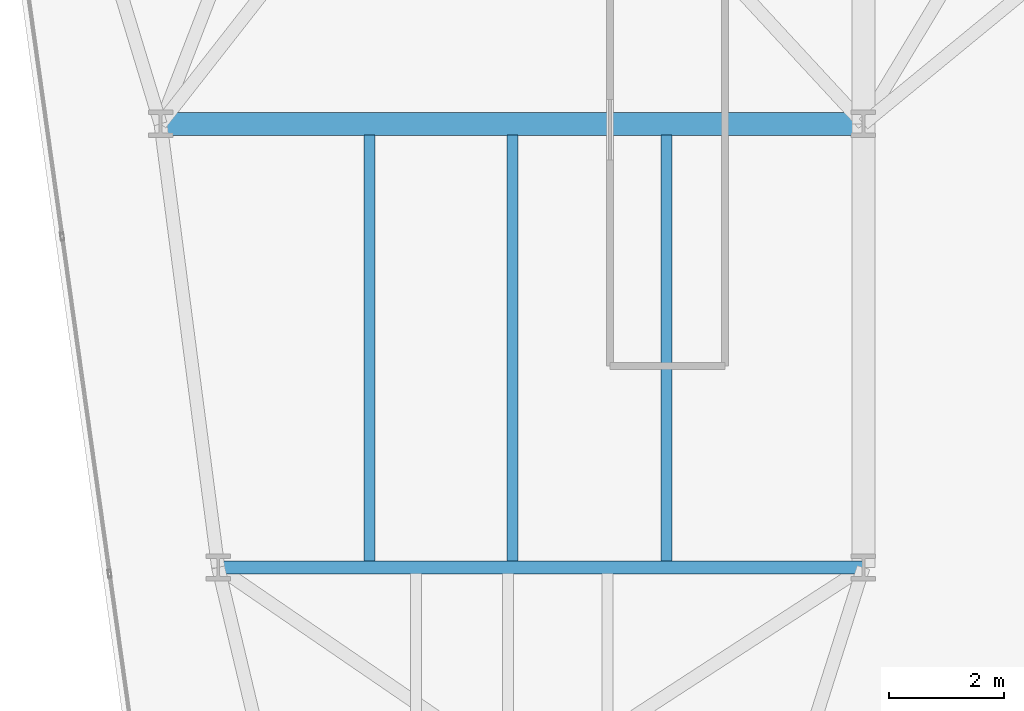
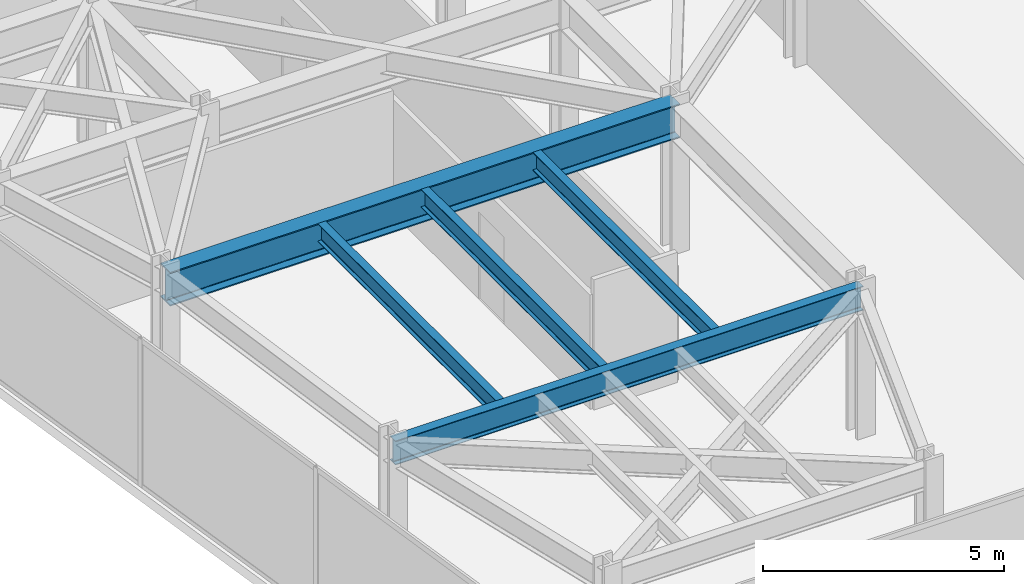
# One storey, part 6 of 26: 5 beams.
"""IFC4 building model written with IfcOpenShell, lengths in metres."""

from ifc_helpers import new_model, si_unit, direction, frame, origin, origin_2d, place, context, subcontext, project, spatial, i_section, extrude, material, material_profile, profile_set, type_object, element, save


model = new_model("IFC4")

# Units and contexts
model_context = context("Model", 3, precision=1e-05, world=origin(), true_north=direction((0.0, 1.0)))
body_context = subcontext(model_context, "Body", "Model", "MODEL_VIEW")
ifc_project = project(units=[si_unit("LENGTHUNIT", "METRE"), si_unit("AREAUNIT", "SQUARE_METRE"), si_unit("VOLUMEUNIT", "CUBIC_METRE"), si_unit("PLANEANGLEUNIT", "RADIAN"), si_unit("MASSUNIT", "GRAM", prefix="KILO")], contexts=[model_context])

# Site, building, storey
site_placement = place(None, origin())
site = spatial("IfcSite", under=ifc_project, at=site_placement, CompositionType="ELEMENT")
building_placement = place(site_placement, origin())
building = spatial("IfcBuilding", under=site, at=building_placement, Name="Kravanh Interchange Tower", CompositionType="ELEMENT")
storey_placement = place(building_placement, frame((0.0, 0.0, 112.0)))
storey = spatial("IfcBuildingStorey", under=building, at=storey_placement, Name="L26", CompositionType="ELEMENT", Elevation=112.0)

# Beams
ifc_material_1 = material(Name="Structural Steel S355", Category="steel")
ifc_material_profile_1 = material_profile(ifc_material_1, i_section(OverallWidth=0.39990234375, OverallDepth=0.85595703125, WebThickness=0.018310546875, FlangeThickness=0.029296875, FilletRadius=0.02490234375, at=origin_2d()), Name="W33X201")
ifc_profile_set_1 = profile_set([ifc_material_profile_1], Name="Structural Steel S355")
beam_type_1 = type_object("IfcBeamType", Name="Floor Beam W33X201 Structural Steel S355", PredefinedType="BEAM", material=ifc_profile_set_1)
beam_1_placement = place(storey_placement, frame((15.0, 22.199951171875, 3.322021484375), z_axis=(1.0, 0.0, 0.0), x_axis=(0.0, 1.0, 0.0)))
element("IfcBeam", 1, at=beam_1_placement, inside=storey, type_object=beam_type_1, Name="L26 Primary Floor Girder 108", PredefinedType="BEAM", context=body_context, shape_type="SweptSolid", body=[
    extrude(i_section(OverallWidth=0.39990234375, OverallDepth=0.85595703125, WebThickness=0.018310546875, FlangeThickness=0.029296875, FilletRadius=0.02490234375, at=origin_2d()), origin(), (0.0, 0.0, 1.0), 12.199951171875),
])
ifc_material_2 = material(Name="Structural Steel S355", Category="steel")
ifc_material_profile_2 = material_profile(ifc_material_2, i_section(OverallWidth=0.18994140625, OverallDepth=0.45703125, WebThickness=0.009033203125, FlangeThickness=0.014404296875, FilletRadius=0.01806640625, at=origin_2d()), Name="W18X50")
ifc_profile_set_2 = profile_set([ifc_material_profile_2], Name="Structural Steel S355")
beam_type_2 = type_object("IfcBeamType", Name="Floor Joist W18X50 Structural Steel S355", PredefinedType="JOIST", material=ifc_profile_set_2)
for number, where, z_axis, x_axis, name in (
    (2, (18.6298828125, 14.60888671875, 3.521484375), (0.0, 1.0, 0.0), (-1.0, 0.0, 0.0), "L26 Secondary Floor Joist 7"),
    (3, (21.10498046875, 14.60888671875, 3.521484375), (0.0, 1.0, 0.0), (-1.0, 0.0, 0.0), "L26 Secondary Floor Joist 8"),
    (4, (23.778076171875, 14.60888671875, 3.521484375), (0.0, 1.0, 0.0), (-1.0, 0.0, 0.0), "L26 Secondary Floor Joist 9"),
):
    element("IfcBeam", number, at=place(storey_placement, frame(where, z_axis=z_axis, x_axis=x_axis)), inside=storey, type_object=beam_type_2, Name=name, PredefinedType="JOIST", context=body_context, shape_type="SweptSolid", body=[
        extrude(i_section(OverallWidth=0.18994140625, OverallDepth=0.45703125, WebThickness=0.009033203125, FlangeThickness=0.014404296875, FilletRadius=0.01806640625, at=origin_2d()), origin(), (0.0, 0.0, 1.0), 7.39599609375),
    ])
ifc_material_3 = material(Name="Structural Steel S355", Category="steel")
ifc_material_profile_3 = material_profile(ifc_material_3, i_section(OverallWidth=0.22802734375, OverallDepth=0.60791015625, WebThickness=0.01123046875, FlangeThickness=0.017333984375, FilletRadius=0.02197265625, at=origin_2d()), Name="W24X76")
ifc_profile_set_3 = profile_set([ifc_material_profile_3], Name="Structural Steel S355")
beam_type_3 = type_object("IfcBeamType", Name="Floor Spandrel W24X76 Structural Steel S355", PredefinedType="SPANDREL", material=ifc_profile_set_3)
beam_2_placement = place(storey_placement, frame((16.0, 14.5, 3.446044921875), z_axis=(1.0, 0.0, 0.0), x_axis=(0.0, 1.0, 0.0)))
element("IfcBeam", 5, at=beam_2_placement, inside=storey, type_object=beam_type_3, Name="L26 Perimeter Spandrel 101", PredefinedType="SPANDREL", context=body_context, shape_type="SweptSolid", body=[
    extrude(i_section(OverallWidth=0.22802734375, OverallDepth=0.60791015625, WebThickness=0.01123046875, FlangeThickness=0.017333984375, FilletRadius=0.02197265625, at=origin_2d()), origin(), (0.0, 0.0, 1.0), 11.199951171875),
])

save(model, "model.ifc")
